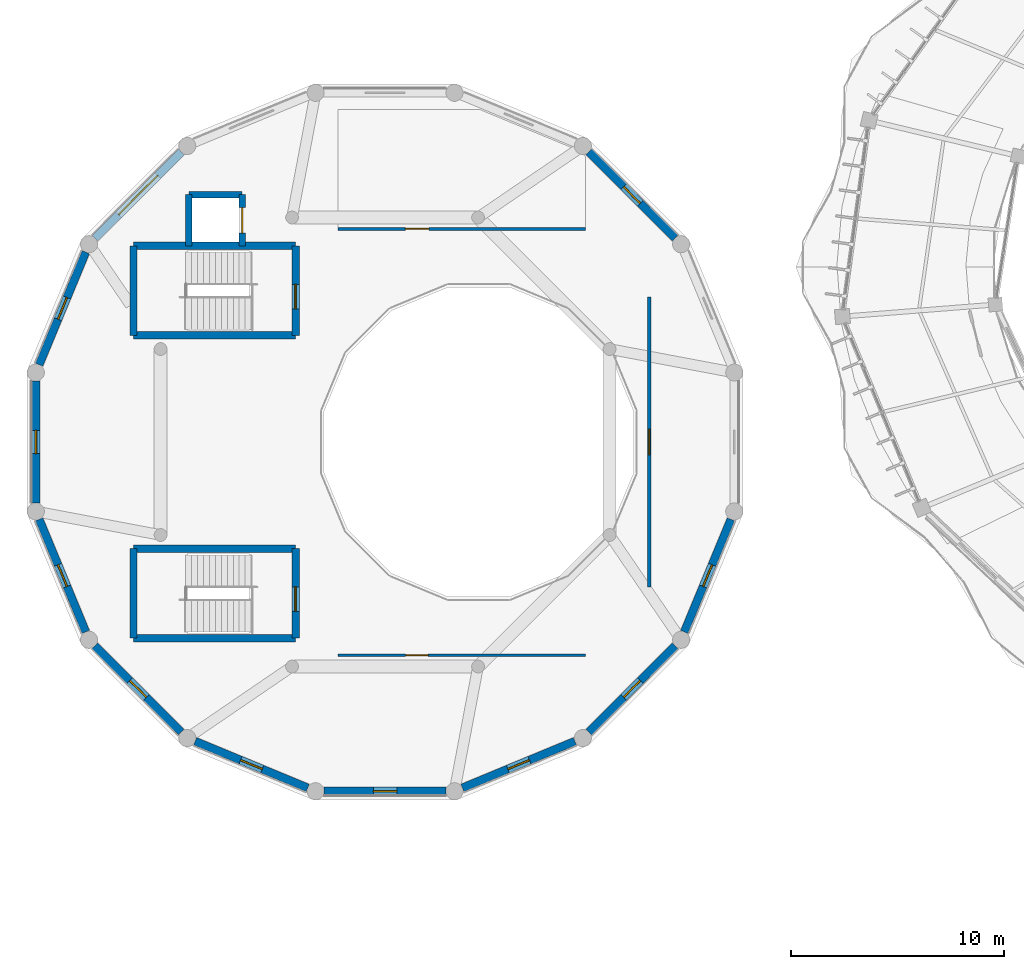
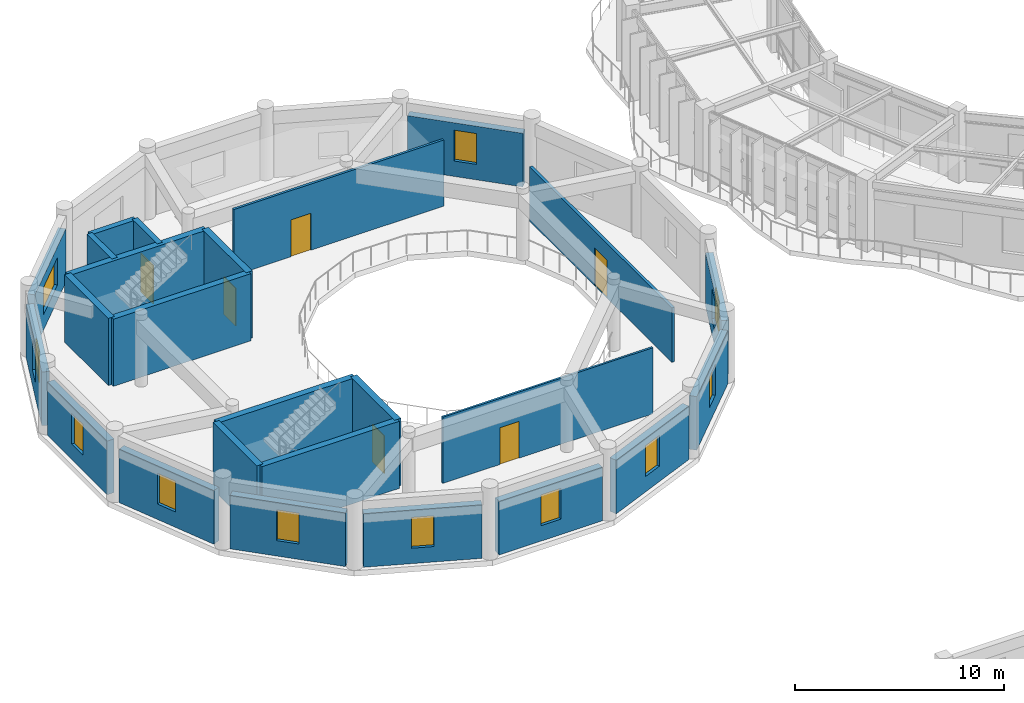
# One storey, part 113 of 138: 25 walls, 11 windows, 6 doors, 17 openings.
"""IFC4 building model written with IfcOpenShell, lengths in metres."""

from ifc_helpers import new_model, si_unit, direction, frame, frame_2d, origin, place, context, subcontext, project, spatial, rectangle, extrude, material, layer, layer_set, type_object, element, fill, save


model = new_model("IFC4")

# Units and contexts
model_context = context("Model", 3, precision=1e-05, world=origin(), true_north=direction((0.0, 1.0)))
body_context = subcontext(model_context, "Body", "Model", "MODEL_VIEW")
ifc_project = project(units=[si_unit("LENGTHUNIT", "METRE"), si_unit("AREAUNIT", "SQUARE_METRE"), si_unit("VOLUMEUNIT", "CUBIC_METRE"), si_unit("PLANEANGLEUNIT", "RADIAN"), si_unit("MASSUNIT", "GRAM", prefix="KILO"), si_unit("THERMODYNAMICTEMPERATUREUNIT", "KELVIN"), si_unit("POWERUNIT", "WATT")], contexts=[model_context])

# Site, building, storey
site_placement = place(None, origin())
site = spatial("IfcSite", under=ifc_project, at=site_placement, CompositionType="ELEMENT")
building_placement = place(site_placement, origin())
building = spatial("IfcBuilding", under=site, at=building_placement, Name="Darbajah Civic Hall", CompositionType="ELEMENT")
storey_placement = place(building_placement, frame((0.0, 0.0, 9.60009765625)))
storey = spatial("IfcBuildingStorey", under=building, at=storey_placement, Name="L02", CompositionType="ELEMENT", Elevation=9.60009765625)

# Walls
ifc_material_1 = material(Name="Concrete C45/55", Category="concrete")
ifc_layer_1 = layer(ifc_material_1, 0.300048828125, Name="Concrete C45/55")
ifc_layer_set_1 = layer_set([ifc_layer_1], Name="Concrete C45/55")
wall_type_1 = type_object("IfcWallType", Name="Core Shear Wall 300mm", PredefinedType="SHEAR", material=ifc_layer_set_1)
wall_1_placement = place(storey_placement, frame((10.10009765625, 93.199951171875, 0.0), z_axis=(0.0, 0.0, 1.0), x_axis=(-1.0, 0.0, 0.0)))
element("IfcWall", 1, at=wall_1_placement, inside=storey, type_object=wall_type_1, Name="L02 lift PL2 shaft wall N", PredefinedType="SHEAR", context=body_context, shape_type="SweptSolid", body=[
    extrude(rectangle(XDim=2.5, YDim=0.300048828125, at=frame_2d((1.25, 0.0))), origin(), (0.0, 0.0, 1.0), 3.919921875),
])
wall_2_placement = place(storey_placement, frame((7.60009765625, 93.199951171875, 0.0), z_axis=(0.0, 0.0, 1.0), x_axis=(0.0, -1.0, 0.0)))
element("IfcWall", 2, at=wall_2_placement, inside=storey, type_object=wall_type_1, Name="L02 lift PL2 shaft wall W", PredefinedType="SHEAR", context=body_context, shape_type="SweptSolid", body=[
    extrude(rectangle(XDim=2.39990234375, YDim=0.300048828125, at=frame_2d((1.199951171875, 0.0))), origin(), (0.0, 0.0, 1.0), 3.919921875),
])

# Wall, opening, door
wall_3_placement = place(storey_placement, frame((10.10009765625, 90.800048828125, 0.0), z_axis=(0.0, 0.0, 1.0), x_axis=(0.0, 1.0, 0.0)))
wall_3 = element("IfcWall", 3, at=wall_3_placement, inside=storey, type_object=wall_type_1, Name="L02 lift PL2 shaft wall E", PredefinedType="SHEAR", context=body_context, shape_type="SweptSolid", body=[
    extrude(rectangle(XDim=2.39990234375, YDim=0.300048828125, at=frame_2d((1.199951171875, 0.0))), origin(), (0.0, 0.0, 1.0), 3.919921875),
])
opening_1_placement = place(wall_3_placement, frame((0.60009765625, 0.0, 0.0)))
opening_1 = element("IfcOpeningElement", 4, at=opening_1_placement, cuts=wall_3, Name="Opening LD-0065", PredefinedType="OPENING", context=body_context, shape_type="SweptSolid", body=[
    extrude(rectangle(XDim=1.199951171875, YDim=2.25, at=frame_2d((0.60009765625, 1.125))), frame((0.0, 0.159912109375, 0.0), z_axis=(0.0, -1.0, 0.0), x_axis=(1.0, 0.0, 0.0)), (0.0, 0.0, 1.0), 0.320068359375),
])
ifc_material_2 = material(Name="Stainless Lift Landing Door")
door_type_1 = type_object("IfcDoorType", Name="Lift Landing Door 1200x2250", OperationType="SLIDING_TO_LEFT", PredefinedType="DOOR", material=ifc_material_2)
door_1_placement = place(opening_1_placement, origin())
door_1 = element("IfcDoor", 5, at=door_1_placement, inside=storey, type_object=door_type_1, Name="L02 lift PL2 landing door LD-0065", OperationType="SLIDING_TO_LEFT", OverallHeight=2.25, OverallWidth=1.199951171875, PredefinedType="DOOR", context=body_context, shape_type="SweptSolid", body=[
    extrude(rectangle(XDim=1.199951171875, YDim=2.25, at=frame_2d((0.60009765625, 1.125))), frame((0.0, 0.02490234375, 0.0), z_axis=(0.0, -1.0, 0.0), x_axis=(1.0, 0.0, 0.0)), (0.0, 0.0, 1.0), 0.050048828125),
])
fill(opening_1, door_1)

# Wall
ifc_material_3 = material(Name="Concrete C50/60", Category="concrete")
ifc_layer_2 = layer(ifc_material_3, 0.35009765625, Name="Concrete C50/60")
ifc_layer_set_2 = layer_set([ifc_layer_2], Name="Concrete C50/60")
wall_type_2 = type_object("IfcWallType", Name="Core Shear Wall 350mm", PredefinedType="SHEAR", material=ifc_layer_set_2)
wall_4_placement = place(storey_placement, frame((5.0, 86.60009765625, 0.0), z_axis=(0.0, 0.0, 1.0), x_axis=(1.0, 0.0, 0.0)))
element("IfcWall", 6, at=wall_4_placement, inside=storey, type_object=wall_type_2, Name="L02 core C04 shear wall S", PredefinedType="SHEAR", context=body_context, shape_type="SweptSolid", body=[
    extrude(rectangle(XDim=7.60009765625, YDim=0.35009765625, at=frame_2d((3.800048828125, 0.0))), origin(), (0.0, 0.0, 1.0), 3.919921875),
])

# Wall, opening, door
wall_5_placement = place(storey_placement, frame((12.60009765625, 86.60009765625, 0.0), z_axis=(0.0, 0.0, 1.0), x_axis=(0.0, 1.0, 0.0)))
wall_5 = element("IfcWall", 7, at=wall_5_placement, inside=storey, type_object=wall_type_2, Name="L02 core C04 shear wall E", PredefinedType="SHEAR", context=body_context, shape_type="SweptSolid", body=[
    extrude(rectangle(XDim=4.199951171875, YDim=0.35009765625, at=frame_2d((2.10009765625, 0.0))), origin(), (0.0, 0.0, 1.0), 3.919921875),
])
opening_2_placement = place(wall_5_placement, frame((1.25, 0.0, 0.0)))
opening_2 = element("IfcOpeningElement", 8, at=opening_2_placement, cuts=wall_5, Name="Opening SD-0060", PredefinedType="OPENING", context=body_context, shape_type="SweptSolid", body=[
    extrude(rectangle(XDim=1.14990234375, YDim=2.199951171875, at=frame_2d((0.574951171875, 1.10009765625))), frame((0.0, 0.18505859375, 0.0), z_axis=(0.0, -1.0, 0.0), x_axis=(1.0, 0.0, 0.0)), (0.0, 0.0, 1.0), 0.3701171875),
])
ifc_material_4 = material(Name="Steel Rated Core Door", Category="steel")
door_type_2 = type_object("IfcDoorType", Name="Interior Door 1150x2200", OperationType="NOTDEFINED", PredefinedType="DOOR", material=ifc_material_4)
door_2_placement = place(opening_2_placement, origin())
door_2 = element("IfcDoor", 9, at=door_2_placement, inside=storey, type_object=door_type_2, Name="L02 stair ST04 fire door SD-0060", OperationType="SINGLE_SWING_LEFT", OverallHeight=2.199951171875, OverallWidth=1.14990234375, PredefinedType="DOOR", context=body_context, shape_type="SweptSolid", body=[
    extrude(rectangle(XDim=1.14990234375, YDim=2.199951171875, at=frame_2d((0.574951171875, 1.10009765625))), frame((0.0, 0.02490234375, 0.0), z_axis=(0.0, -1.0, 0.0), x_axis=(1.0, 0.0, 0.0)), (0.0, 0.0, 1.0), 0.050048828125),
])
fill(opening_2, door_2)

# Walls
wall_6_placement = place(storey_placement, frame((12.60009765625, 90.800048828125, 0.0), z_axis=(0.0, 0.0, 1.0), x_axis=(-1.0, 0.0, 0.0)))
element("IfcWall", 10, at=wall_6_placement, inside=storey, type_object=wall_type_2, Name="L02 core C04 shear wall N", PredefinedType="SHEAR", context=body_context, shape_type="SweptSolid", body=[
    extrude(rectangle(XDim=7.60009765625, YDim=0.35009765625, at=frame_2d((3.800048828125, 0.0))), origin(), (0.0, 0.0, 1.0), 3.919921875),
])
wall_7_placement = place(storey_placement, frame((5.0, 90.800048828125, 0.0), z_axis=(0.0, 0.0, 1.0), x_axis=(0.0, -1.0, 0.0)))
element("IfcWall", 11, at=wall_7_placement, inside=storey, type_object=wall_type_2, Name="L02 core C04 shear wall W", PredefinedType="SHEAR", context=body_context, shape_type="SweptSolid", body=[
    extrude(rectangle(XDim=4.199951171875, YDim=0.35009765625, at=frame_2d((2.10009765625, 0.0))), origin(), (0.0, 0.0, 1.0), 3.919921875),
])
wall_8_placement = place(storey_placement, frame((5.0, 72.39990234375, 0.0), z_axis=(0.0, 0.0, 1.0), x_axis=(1.0, 0.0, 0.0)))
element("IfcWall", 12, at=wall_8_placement, inside=storey, type_object=wall_type_2, Name="L02 core C05 shear wall S", PredefinedType="SHEAR", context=body_context, shape_type="SweptSolid", body=[
    extrude(rectangle(XDim=7.60009765625, YDim=0.35009765625, at=frame_2d((3.800048828125, 0.0))), origin(), (0.0, 0.0, 1.0), 3.919921875),
])

# Wall, opening, door
wall_9_placement = place(storey_placement, frame((12.60009765625, 72.39990234375, 0.0), z_axis=(0.0, 0.0, 1.0), x_axis=(0.0, 1.0, 0.0)))
wall_9 = element("IfcWall", 13, at=wall_9_placement, inside=storey, type_object=wall_type_2, Name="L02 core C05 shear wall E", PredefinedType="SHEAR", context=body_context, shape_type="SweptSolid", body=[
    extrude(rectangle(XDim=4.2001953125, YDim=0.35009765625, at=frame_2d((2.10009765625, 0.0))), origin(), (0.0, 0.0, 1.0), 3.919921875),
])
opening_3_placement = place(wall_9_placement, frame((1.25, 0.0, 0.0)))
opening_3 = element("IfcOpeningElement", 14, at=opening_3_placement, cuts=wall_9, Name="Opening SD-0070", PredefinedType="OPENING", context=body_context, shape_type="SweptSolid", body=[
    extrude(rectangle(XDim=1.14990234375, YDim=2.199951171875, at=frame_2d((0.574951171875, 1.10009765625))), frame((0.0, 0.18505859375, 0.0), z_axis=(0.0, -1.0, 0.0), x_axis=(1.0, 0.0, 0.0)), (0.0, 0.0, 1.0), 0.3701171875),
])
door_3_placement = place(opening_3_placement, origin())
door_3 = element("IfcDoor", 15, at=door_3_placement, inside=storey, type_object=door_type_2, Name="L02 stair ST05 fire door SD-0070", OperationType="SINGLE_SWING_LEFT", OverallHeight=2.199951171875, OverallWidth=1.14990234375, PredefinedType="DOOR", context=body_context, shape_type="SweptSolid", body=[
    extrude(rectangle(XDim=1.14990234375, YDim=2.199951171875, at=frame_2d((0.574951171875, 1.10009765625))), frame((0.0, 0.02490234375, 0.0), z_axis=(0.0, -1.0, 0.0), x_axis=(1.0, 0.0, 0.0)), (0.0, 0.0, 1.0), 0.050048828125),
])
fill(opening_3, door_3)

# Walls
wall_10_placement = place(storey_placement, frame((12.60009765625, 76.60009765625, 0.0), z_axis=(0.0, 0.0, 1.0), x_axis=(-1.0, 0.0, 0.0)))
element("IfcWall", 16, at=wall_10_placement, inside=storey, type_object=wall_type_2, Name="L02 core C05 shear wall N", PredefinedType="SHEAR", context=body_context, shape_type="SweptSolid", body=[
    extrude(rectangle(XDim=7.60009765625, YDim=0.35009765625, at=frame_2d((3.800048828125, 0.0))), origin(), (0.0, 0.0, 1.0), 3.919921875),
])
wall_11_placement = place(storey_placement, frame((5.0, 76.60009765625, 0.0), z_axis=(0.0, 0.0, 1.0), x_axis=(0.0, -1.0, 0.0)))
element("IfcWall", 17, at=wall_11_placement, inside=storey, type_object=wall_type_2, Name="L02 core C05 shear wall W", PredefinedType="SHEAR", context=body_context, shape_type="SweptSolid", body=[
    extrude(rectangle(XDim=4.2001953125, YDim=0.35009765625, at=frame_2d((2.10009765625, 0.0))), origin(), (0.0, 0.0, 1.0), 3.919921875),
])

# Wall, opening, window
ifc_material_5 = material(Name="Red Dholpur Sandstone Cladding", Category="masonry")
ifc_layer_3 = layer(ifc_material_5, 0.3798828125, Name="Red Dholpur Sandstone Cladding")
ifc_layer_set_3 = layer_set([ifc_layer_3], Name="Red Dholpur Sandstone Cladding")
wall_type_3 = type_object("IfcWallType", Name="Exterior Wall 380mm", PredefinedType="SOLIDWALL", material=ifc_layer_set_3)
wall_12_placement = place(storey_placement, frame((30.402099609375, 91.162841796875, 0.0), z_axis=(0.0, 0.0, 1.0), x_axis=(-0.707128150708, 0.707085411019, 0.0)))
wall_12 = element("IfcWall", 18, at=wall_12_placement, inside=storey, type_object=wall_type_3, Name="L02 exterior wall EW-380", PredefinedType="SOLIDWALL", context=body_context, shape_type="SweptSolid", body=[
    extrude(rectangle(XDim=5.712158203125, YDim=0.3798828125, at=frame_2d((2.85595703125, 0.0))), origin(), (0.0, 0.0, 1.0), 3.1298828125),
])
opening_4_placement = place(wall_12_placement, frame((2.30615234375, 0.0, 0.89990234375)))
opening_4 = element("IfcOpeningElement", 19, at=opening_4_placement, cuts=wall_12, Name="Opening WN-17", PredefinedType="OPENING", context=body_context, shape_type="SweptSolid", body=[
    extrude(rectangle(XDim=1.10009765625, YDim=1.800048828125, at=frame_2d((0.550048828125, 0.89990234375))), frame((0.0, 0.199951171875, 0.0), z_axis=(0.0, -1.0, 0.0), x_axis=(1.0, 0.0, 0.0)), (0.0, 0.0, 1.0), 0.39990234375),
])
ifc_material_6 = material(Name="Low-E Solar Control Double Glazing", Category="glass")
window_type_1 = type_object("IfcWindowType", Name="Facade Window 1100x1800", PartitioningType="SINGLE_PANEL", PredefinedType="WINDOW", material=ifc_material_6)
window_1_placement = place(opening_4_placement, origin())
window_1 = element("IfcWindow", 20, at=window_1_placement, inside=storey, type_object=window_type_1, Name="L02 facade window WN-17", OverallHeight=1.800048828125, OverallWidth=1.10009765625, PartitioningType="SINGLE_PANEL", PredefinedType="WINDOW", context=body_context, shape_type="SweptSolid", body=[
    extrude(rectangle(XDim=1.10009765625, YDim=1.800048828125, at=frame_2d((0.550048828125, 0.89990234375))), frame((0.0, 0.030029296875, 0.0), z_axis=(0.0, -1.0, 0.0), x_axis=(1.0, 0.0, 0.0)), (0.0, 0.0, 1.0), 0.06005859375),
])
fill(opening_4, window_1)

wall_13_placement = place(storey_placement, frame((7.2373046875, 95.201904296875, 0.0), z_axis=(0.0, 0.0, 1.0), x_axis=(-0.707128150708, -0.707085411019, 0.0)))
wall_13 = element("IfcWall", 21, at=wall_13_placement, inside=storey, type_object=wall_type_3, Name="L02 exterior wall EW-380", PredefinedType="SOLIDWALL", context=body_context, shape_type="SweptSolid", body=[
    extrude(rectangle(XDim=5.712158203125, YDim=0.3798828125, at=frame_2d((2.85595703125, 0.0))), origin(), (0.0, 0.0, 1.0), 3.1298828125),
])
opening_5_placement = place(wall_13_placement, frame((1.55615234375, 0.0, 0.89990234375)))
opening_5 = element("IfcOpeningElement", 22, at=opening_5_placement, cuts=wall_13, Name="Opening WN-28", PredefinedType="OPENING", context=body_context, shape_type="SweptSolid", body=[
    extrude(rectangle(XDim=2.60009765625, YDim=1.60009765625, at=frame_2d((1.300048828125, 0.800048828125))), frame((0.0, 0.199951171875, 0.0), z_axis=(0.0, -1.0, 0.0), x_axis=(1.0, 0.0, 0.0)), (0.0, 0.0, 1.0), 0.39990234375),
])
window_type_2 = type_object("IfcWindowType", Name="Facade Window 2600x1600", PartitioningType="DOUBLE_PANEL_VERTICAL", PredefinedType="WINDOW", material=ifc_material_6)
window_2_placement = place(opening_5_placement, origin())
window_2 = element("IfcWindow", 23, at=window_2_placement, inside=storey, type_object=window_type_2, Name="L02 facade window WN-28", OverallHeight=1.60009765625, OverallWidth=2.60009765625, PartitioningType="SINGLE_PANEL", PredefinedType="WINDOW", context=body_context, shape_type="SweptSolid", body=[
    extrude(rectangle(XDim=2.60009765625, YDim=1.60009765625, at=frame_2d((1.300048828125, 0.800048828125))), frame((0.0, 0.030029296875, 0.0), z_axis=(0.0, -1.0, 0.0), x_axis=(1.0, 0.0, 0.0)), (0.0, 0.0, 1.0), 0.06005859375),
])
fill(opening_5, window_2)

wall_14_placement = place(storey_placement, frame((2.760009765625, 90.507080078125, 0.0), z_axis=(0.0, 0.0, 1.0), x_axis=(-0.382717920232, -0.923865246415, 0.0)))
wall_14 = element("IfcWall", 24, at=wall_14_placement, inside=storey, type_object=wall_type_3, Name="L02 exterior wall EW-380", PredefinedType="SOLIDWALL", context=body_context, shape_type="SweptSolid", body=[
    extrude(rectangle(XDim=5.71240234375, YDim=0.3798828125, at=frame_2d((2.856201171875, 0.0))), origin(), (0.0, 0.0, 1.0), 3.1298828125),
])
opening_6_placement = place(wall_14_placement, frame((2.30615234375, 0.0, 0.89990234375)))
opening_6 = element("IfcOpeningElement", 25, at=opening_6_placement, cuts=wall_14, Name="Opening WN-17", PredefinedType="OPENING", context=body_context, shape_type="SweptSolid", body=[
    extrude(rectangle(XDim=1.10009765625, YDim=1.800048828125, at=frame_2d((0.550048828125, 0.89990234375))), frame((0.0, 0.199951171875, 0.0), z_axis=(0.0, -1.0, 0.0), x_axis=(1.0, 0.0, 0.0)), (0.0, 0.0, 1.0), 0.39990234375),
])
window_3_placement = place(opening_6_placement, origin())
window_3 = element("IfcWindow", 26, at=window_3_placement, inside=storey, type_object=window_type_1, Name="L02 facade window WN-17", OverallHeight=1.800048828125, OverallWidth=1.10009765625, PartitioningType="SINGLE_PANEL", PredefinedType="WINDOW", context=body_context, shape_type="SweptSolid", body=[
    extrude(rectangle(XDim=1.10009765625, YDim=1.800048828125, at=frame_2d((0.550048828125, 0.89990234375))), frame((0.0, 0.030029296875, 0.0), z_axis=(0.0, -1.0, 0.0), x_axis=(1.0, 0.0, 0.0)), (0.0, 0.0, 1.0), 0.06005859375),
])
fill(opening_6, window_3)

wall_15_placement = place(storey_placement, frame((0.419921875, 84.456298828125, 0.0), z_axis=(0.0, 0.0, 1.0), x_axis=(0.0, -1.0, 0.0)))
wall_15 = element("IfcWall", 27, at=wall_15_placement, inside=storey, type_object=wall_type_3, Name="L02 exterior wall EW-380", PredefinedType="SOLIDWALL", context=body_context, shape_type="SweptSolid", body=[
    extrude(rectangle(XDim=5.71240234375, YDim=0.3798828125, at=frame_2d((2.856201171875, 0.0))), origin(), (0.0, 0.0, 1.0), 3.1298828125),
])
opening_7_placement = place(wall_15_placement, frame((2.30615234375, 0.0, 0.89990234375)))
opening_7 = element("IfcOpeningElement", 28, at=opening_7_placement, cuts=wall_15, Name="Opening WN-17", PredefinedType="OPENING", context=body_context, shape_type="SweptSolid", body=[
    extrude(rectangle(XDim=1.10009765625, YDim=1.800048828125, at=frame_2d((0.550048828125, 0.89990234375))), frame((0.0, 0.199951171875, 0.0), z_axis=(0.0, -1.0, 0.0), x_axis=(1.0, 0.0, 0.0)), (0.0, 0.0, 1.0), 0.39990234375),
])
window_4_placement = place(opening_7_placement, origin())
window_4 = element("IfcWindow", 29, at=window_4_placement, inside=storey, type_object=window_type_1, Name="L02 facade window WN-17", OverallHeight=1.800048828125, OverallWidth=1.10009765625, PartitioningType="SINGLE_PANEL", PredefinedType="WINDOW", context=body_context, shape_type="SweptSolid", body=[
    extrude(rectangle(XDim=1.10009765625, YDim=1.800048828125, at=frame_2d((0.550048828125, 0.89990234375))), frame((0.0, 0.030029296875, 0.0), z_axis=(0.0, -1.0, 0.0), x_axis=(1.0, 0.0, 0.0)), (0.0, 0.0, 1.0), 0.06005859375),
])
fill(opening_7, window_4)

wall_16_placement = place(storey_placement, frame((0.57373046875, 77.970458984375, 0.0), z_axis=(0.0, 0.0, 1.0), x_axis=(0.382717920232, -0.923865246415, 0.0)))
wall_16 = element("IfcWall", 30, at=wall_16_placement, inside=storey, type_object=wall_type_3, Name="L02 exterior wall EW-380", PredefinedType="SOLIDWALL", context=body_context, shape_type="SweptSolid", body=[
    extrude(rectangle(XDim=5.71240234375, YDim=0.3798828125, at=frame_2d((2.856201171875, 0.0))), origin(), (0.0, 0.0, 1.0), 3.1298828125),
])
opening_8_placement = place(wall_16_placement, frame((2.30615234375, 0.0, 0.89990234375)))
opening_8 = element("IfcOpeningElement", 31, at=opening_8_placement, cuts=wall_16, Name="Opening WN-17", PredefinedType="OPENING", context=body_context, shape_type="SweptSolid", body=[
    extrude(rectangle(XDim=1.10009765625, YDim=1.800048828125, at=frame_2d((0.550048828125, 0.89990234375))), frame((0.0, 0.199951171875, 0.0), z_axis=(0.0, -1.0, 0.0), x_axis=(1.0, 0.0, 0.0)), (0.0, 0.0, 1.0), 0.39990234375),
])
window_5_placement = place(opening_8_placement, origin())
window_5 = element("IfcWindow", 32, at=window_5_placement, inside=storey, type_object=window_type_1, Name="L02 facade window WN-17", OverallHeight=1.800048828125, OverallWidth=1.10009765625, PartitioningType="SINGLE_PANEL", PredefinedType="WINDOW", context=body_context, shape_type="SweptSolid", body=[
    extrude(rectangle(XDim=1.10009765625, YDim=1.800048828125, at=frame_2d((0.550048828125, 0.89990234375))), frame((0.0, 0.030029296875, 0.0), z_axis=(0.0, -1.0, 0.0), x_axis=(1.0, 0.0, 0.0)), (0.0, 0.0, 1.0), 0.06005859375),
])
fill(opening_8, window_5)

wall_17_placement = place(storey_placement, frame((3.197998046875, 72.037109375, 0.0), z_axis=(0.0, 0.0, 1.0), x_axis=(0.707128150708, -0.707085411019, 0.0)))
wall_17 = element("IfcWall", 33, at=wall_17_placement, inside=storey, type_object=wall_type_3, Name="L02 exterior wall EW-380", PredefinedType="SOLIDWALL", context=body_context, shape_type="SweptSolid", body=[
    extrude(rectangle(XDim=5.712158203125, YDim=0.3798828125, at=frame_2d((2.85595703125, 0.0))), origin(), (0.0, 0.0, 1.0), 3.1298828125),
])
opening_9_placement = place(wall_17_placement, frame((2.30615234375, 0.0, 0.89990234375)))
opening_9 = element("IfcOpeningElement", 34, at=opening_9_placement, cuts=wall_17, Name="Opening WN-17", PredefinedType="OPENING", context=body_context, shape_type="SweptSolid", body=[
    extrude(rectangle(XDim=1.10009765625, YDim=1.800048828125, at=frame_2d((0.550048828125, 0.89990234375))), frame((0.0, 0.199951171875, 0.0), z_axis=(0.0, -1.0, 0.0), x_axis=(1.0, 0.0, 0.0)), (0.0, 0.0, 1.0), 0.39990234375),
])
window_6_placement = place(opening_9_placement, origin())
window_6 = element("IfcWindow", 35, at=window_6_placement, inside=storey, type_object=window_type_1, Name="L02 facade window WN-17", OverallHeight=1.800048828125, OverallWidth=1.10009765625, PartitioningType="SINGLE_PANEL", PredefinedType="WINDOW", context=body_context, shape_type="SweptSolid", body=[
    extrude(rectangle(XDim=1.10009765625, YDim=1.800048828125, at=frame_2d((0.550048828125, 0.89990234375))), frame((0.0, 0.030029296875, 0.0), z_axis=(0.0, -1.0, 0.0), x_axis=(1.0, 0.0, 0.0)), (0.0, 0.0, 1.0), 0.06005859375),
])
fill(opening_9, window_6)

wall_18_placement = place(storey_placement, frame((7.892822265625, 67.559814453125, 0.0), z_axis=(0.0, 0.0, 1.0), x_axis=(0.923880357201, -0.382681441383, 0.0)))
wall_18 = element("IfcWall", 36, at=wall_18_placement, inside=storey, type_object=wall_type_3, Name="L02 exterior wall EW-380", PredefinedType="SOLIDWALL", context=body_context, shape_type="SweptSolid", body=[
    extrude(rectangle(XDim=5.71240234375, YDim=0.3798828125, at=frame_2d((2.856201171875, 0.0))), origin(), (0.0, 0.0, 1.0), 3.1298828125),
])
opening_10_placement = place(wall_18_placement, frame((2.30615234375, 0.0, 0.89990234375)))
opening_10 = element("IfcOpeningElement", 37, at=opening_10_placement, cuts=wall_18, Name="Opening WN-17", PredefinedType="OPENING", context=body_context, shape_type="SweptSolid", body=[
    extrude(rectangle(XDim=1.10009765625, YDim=1.800048828125, at=frame_2d((0.550048828125, 0.89990234375))), frame((0.0, 0.199951171875, 0.0), z_axis=(0.0, -1.0, 0.0), x_axis=(1.0, 0.0, 0.0)), (0.0, 0.0, 1.0), 0.39990234375),
])
window_7_placement = place(opening_10_placement, origin())
window_7 = element("IfcWindow", 38, at=window_7_placement, inside=storey, type_object=window_type_1, Name="L02 facade window WN-17", OverallHeight=1.800048828125, OverallWidth=1.10009765625, PartitioningType="SINGLE_PANEL", PredefinedType="WINDOW", context=body_context, shape_type="SweptSolid", body=[
    extrude(rectangle(XDim=1.10009765625, YDim=1.800048828125, at=frame_2d((0.550048828125, 0.89990234375))), frame((0.0, 0.030029296875, 0.0), z_axis=(0.0, -1.0, 0.0), x_axis=(1.0, 0.0, 0.0)), (0.0, 0.0, 1.0), 0.06005859375),
])
fill(opening_10, window_7)

wall_19_placement = place(storey_placement, frame((13.94384765625, 65.219970703125, 0.0), z_axis=(0.0, 0.0, 1.0), x_axis=(1.0, 0.0, 0.0)))
wall_19 = element("IfcWall", 39, at=wall_19_placement, inside=storey, type_object=wall_type_3, Name="L02 exterior wall EW-380", PredefinedType="SOLIDWALL", context=body_context, shape_type="SweptSolid", body=[
    extrude(rectangle(XDim=5.71240234375, YDim=0.3798828125, at=frame_2d((2.856201171875, 0.0))), origin(), (0.0, 0.0, 1.0), 3.1298828125),
])
opening_11_placement = place(wall_19_placement, frame((2.30615234375, 0.0, 0.89990234375)))
opening_11 = element("IfcOpeningElement", 40, at=opening_11_placement, cuts=wall_19, Name="Opening WN-17", PredefinedType="OPENING", context=body_context, shape_type="SweptSolid", body=[
    extrude(rectangle(XDim=1.10009765625, YDim=1.800048828125, at=frame_2d((0.550048828125, 0.89990234375))), frame((0.0, 0.199951171875, 0.0), z_axis=(0.0, -1.0, 0.0), x_axis=(1.0, 0.0, 0.0)), (0.0, 0.0, 1.0), 0.39990234375),
])
window_8_placement = place(opening_11_placement, origin())
window_8 = element("IfcWindow", 41, at=window_8_placement, inside=storey, type_object=window_type_1, Name="L02 facade window WN-17", OverallHeight=1.800048828125, OverallWidth=1.10009765625, PartitioningType="SINGLE_PANEL", PredefinedType="WINDOW", context=body_context, shape_type="SweptSolid", body=[
    extrude(rectangle(XDim=1.10009765625, YDim=1.800048828125, at=frame_2d((0.550048828125, 0.89990234375))), frame((0.0, 0.030029296875, 0.0), z_axis=(0.0, -1.0, 0.0), x_axis=(1.0, 0.0, 0.0)), (0.0, 0.0, 1.0), 0.06005859375),
])
fill(opening_11, window_8)

wall_20_placement = place(storey_placement, frame((20.4296875, 65.373779296875, 0.0), z_axis=(0.0, 0.0, 1.0), x_axis=(0.923874097972, 0.382696552241, 0.0)))
wall_20 = element("IfcWall", 42, at=wall_20_placement, inside=storey, type_object=wall_type_3, Name="L02 exterior wall EW-380", PredefinedType="SOLIDWALL", context=body_context, shape_type="SweptSolid", body=[
    extrude(rectangle(XDim=5.712158203125, YDim=0.3798828125, at=frame_2d((2.85595703125, 0.0))), origin(), (0.0, 0.0, 1.0), 3.1298828125),
])
opening_12_placement = place(wall_20_placement, frame((2.30615234375, 0.0, 0.89990234375)))
opening_12 = element("IfcOpeningElement", 43, at=opening_12_placement, cuts=wall_20, Name="Opening WN-17", PredefinedType="OPENING", context=body_context, shape_type="SweptSolid", body=[
    extrude(rectangle(XDim=1.10009765625, YDim=1.800048828125, at=frame_2d((0.550048828125, 0.89990234375))), frame((0.0, 0.199951171875, 0.0), z_axis=(0.0, -1.0, 0.0), x_axis=(1.0, 0.0, 0.0)), (0.0, 0.0, 1.0), 0.39990234375),
])
window_9_placement = place(opening_12_placement, origin())
window_9 = element("IfcWindow", 44, at=window_9_placement, inside=storey, type_object=window_type_1, Name="L02 facade window WN-17", OverallHeight=1.800048828125, OverallWidth=1.10009765625, PartitioningType="SINGLE_PANEL", PredefinedType="WINDOW", context=body_context, shape_type="SweptSolid", body=[
    extrude(rectangle(XDim=1.10009765625, YDim=1.800048828125, at=frame_2d((0.550048828125, 0.89990234375))), frame((0.0, 0.030029296875, 0.0), z_axis=(0.0, -1.0, 0.0), x_axis=(1.0, 0.0, 0.0)), (0.0, 0.0, 1.0), 0.06005859375),
])
fill(opening_12, window_9)

wall_21_placement = place(storey_placement, frame((26.36279296875, 67.998046875, 0.0), z_axis=(0.0, 0.0, 1.0), x_axis=(0.707128150708, 0.707085411019, 0.0)))
wall_21 = element("IfcWall", 45, at=wall_21_placement, inside=storey, type_object=wall_type_3, Name="L02 exterior wall EW-380", PredefinedType="SOLIDWALL", context=body_context, shape_type="SweptSolid", body=[
    extrude(rectangle(XDim=5.712158203125, YDim=0.3798828125, at=frame_2d((2.85595703125, 0.0))), origin(), (0.0, 0.0, 1.0), 3.1298828125),
])
opening_13_placement = place(wall_21_placement, frame((2.30615234375, 0.0, 0.89990234375)))
opening_13 = element("IfcOpeningElement", 46, at=opening_13_placement, cuts=wall_21, Name="Opening WN-17", PredefinedType="OPENING", context=body_context, shape_type="SweptSolid", body=[
    extrude(rectangle(XDim=1.10009765625, YDim=1.800048828125, at=frame_2d((0.550048828125, 0.89990234375))), frame((0.0, 0.199951171875, 0.0), z_axis=(0.0, -1.0, 0.0), x_axis=(1.0, 0.0, 0.0)), (0.0, 0.0, 1.0), 0.39990234375),
])
window_10_placement = place(opening_13_placement, origin())
window_10 = element("IfcWindow", 47, at=window_10_placement, inside=storey, type_object=window_type_1, Name="L02 facade window WN-17", OverallHeight=1.800048828125, OverallWidth=1.10009765625, PartitioningType="SINGLE_PANEL", PredefinedType="WINDOW", context=body_context, shape_type="SweptSolid", body=[
    extrude(rectangle(XDim=1.10009765625, YDim=1.800048828125, at=frame_2d((0.550048828125, 0.89990234375))), frame((0.0, 0.030029296875, 0.0), z_axis=(0.0, -1.0, 0.0), x_axis=(1.0, 0.0, 0.0)), (0.0, 0.0, 1.0), 0.06005859375),
])
fill(opening_13, window_10)

wall_22_placement = place(storey_placement, frame((30.840087890625, 72.69287109375, 0.0), z_axis=(0.0, 0.0, 1.0), x_axis=(0.382681441383, 0.923880357201, 0.0)))
wall_22 = element("IfcWall", 48, at=wall_22_placement, inside=storey, type_object=wall_type_3, Name="L02 exterior wall EW-380", PredefinedType="SOLIDWALL", context=body_context, shape_type="SweptSolid", body=[
    extrude(rectangle(XDim=5.71240234375, YDim=0.3798828125, at=frame_2d((2.856201171875, 0.0))), origin(), (0.0, 0.0, 1.0), 3.1298828125),
])
opening_14_placement = place(wall_22_placement, frame((2.30615234375, 0.0, 0.89990234375)))
opening_14 = element("IfcOpeningElement", 49, at=opening_14_placement, cuts=wall_22, Name="Opening WN-17", PredefinedType="OPENING", context=body_context, shape_type="SweptSolid", body=[
    extrude(rectangle(XDim=1.10009765625, YDim=1.800048828125, at=frame_2d((0.550048828125, 0.89990234375))), frame((0.0, 0.199951171875, 0.0), z_axis=(0.0, -1.0, 0.0), x_axis=(1.0, 0.0, 0.0)), (0.0, 0.0, 1.0), 0.39990234375),
])
window_11_placement = place(opening_14_placement, origin())
window_11 = element("IfcWindow", 50, at=window_11_placement, inside=storey, type_object=window_type_1, Name="L02 facade window WN-17", OverallHeight=1.800048828125, OverallWidth=1.10009765625, PartitioningType="SINGLE_PANEL", PredefinedType="WINDOW", context=body_context, shape_type="SweptSolid", body=[
    extrude(rectangle(XDim=1.10009765625, YDim=1.800048828125, at=frame_2d((0.550048828125, 0.89990234375))), frame((0.0, 0.030029296875, 0.0), z_axis=(0.0, -1.0, 0.0), x_axis=(1.0, 0.0, 0.0)), (0.0, 0.0, 1.0), 0.06005859375),
])
fill(opening_14, window_11)

# Wall, opening, door
ifc_material_7 = material(Name="Acoustic Gypsum Partition")
ifc_layer_4 = layer(ifc_material_7, 0.114990234375, Name="Acoustic Gypsum Partition")
ifc_layer_set_4 = layer_set([ifc_layer_4], Name="Acoustic Gypsum Partition")
wall_type_4 = type_object("IfcWallType", Name="Interior Partition 115mm", PredefinedType="PARTITIONING", material=ifc_layer_set_4)
wall_23_placement = place(storey_placement, frame((14.60009765625, 71.60009765625, 0.0), z_axis=(0.0, 0.0, 1.0), x_axis=(1.0, 0.0, 0.0)))
wall_23 = element("IfcWall", 51, at=wall_23_placement, inside=storey, type_object=wall_type_4, Name="L02 interior partition L02-V2-03", PredefinedType="PARTITIONING", context=body_context, shape_type="SweptSolid", body=[
    extrude(rectangle(XDim=11.599853515625, YDim=0.114990234375, at=frame_2d((5.7998046875, 0.0))), origin(), (0.0, 0.0, 1.0), 3.85986328125),
])
opening_15_placement = place(wall_23_placement, frame((3.1650390625, 0.0, 0.0)))
opening_15 = element("IfcOpeningElement", 52, at=opening_15_placement, cuts=wall_23, Name="Opening D-0208", PredefinedType="OPENING", context=body_context, shape_type="SweptSolid", body=[
    extrude(rectangle(XDim=1.050048828125, YDim=2.14990234375, at=frame_2d((0.52490234375, 1.074951171875))), frame((0.0, 0.0673828125, 0.0), z_axis=(0.0, -1.0, 0.0), x_axis=(1.0, 0.0, 0.0)), (0.0, 0.0, 1.0), 0.135009765625),
])
ifc_material_8 = material(Name="Acoustic Oak Office Door")
door_type_3 = type_object("IfcDoorType", Name="Interior Door 1050x2150", OperationType="NOTDEFINED", PredefinedType="DOOR", material=ifc_material_8)
door_4_placement = place(opening_15_placement, origin())
door_4 = element("IfcDoor", 53, at=door_4_placement, inside=storey, type_object=door_type_3, Name="L02 L02-V2-03 door D-0208", OperationType="SINGLE_SWING_LEFT", OverallHeight=2.14990234375, OverallWidth=1.050048828125, PredefinedType="DOOR", context=body_context, shape_type="SweptSolid", body=[
    extrude(rectangle(XDim=1.050048828125, YDim=2.14990234375, at=frame_2d((0.52490234375, 1.074951171875))), frame((0.0, 0.02490234375, 0.0), z_axis=(0.0, -1.0, 0.0), x_axis=(1.0, 0.0, 0.0)), (0.0, 0.0, 1.0), 0.050048828125),
])
fill(opening_15, door_4)

ifc_material_9 = material(Name="Gypsum Plasterboard on Steel Stud", Category="steel")
ifc_layer_5 = layer(ifc_material_9, 0.135009765625, Name="Gypsum Plasterboard on Steel Stud")
ifc_layer_set_5 = layer_set([ifc_layer_5], Name="Gypsum Plasterboard on Steel Stud")
wall_type_5 = type_object("IfcWallType", Name="Interior Partition 135mm", PredefinedType="PARTITIONING", material=ifc_layer_set_5)
wall_24_placement = place(storey_placement, frame((14.60009765625, 91.60009765625, 0.0), z_axis=(0.0, 0.0, 1.0), x_axis=(1.0, 0.0, 0.0)))
wall_24 = element("IfcWall", 54, at=wall_24_placement, inside=storey, type_object=wall_type_5, Name="L02 interior partition L02-V2-02", PredefinedType="PARTITIONING", context=body_context, shape_type="SweptSolid", body=[
    extrude(rectangle(XDim=11.599853515625, YDim=0.135009765625, at=frame_2d((5.7998046875, 0.0))), origin(), (0.0, 0.0, 1.0), 3.85986328125),
])
opening_16_placement = place(wall_24_placement, frame((3.14990234375, 0.0, 0.0)))
opening_16 = element("IfcOpeningElement", 55, at=opening_16_placement, cuts=wall_24, Name="Opening D-0207", PredefinedType="OPENING", context=body_context, shape_type="SweptSolid", body=[
    extrude(rectangle(XDim=1.10009765625, YDim=2.14990234375, at=frame_2d((0.550048828125, 1.074951171875))), frame((0.0, 0.077392578125, 0.0), z_axis=(0.0, -1.0, 0.0), x_axis=(1.0, 0.0, 0.0)), (0.0, 0.0, 1.0), 0.155029296875),
])
door_type_4 = type_object("IfcDoorType", Name="Interior Door 1100x2150", OperationType="NOTDEFINED", PredefinedType="DOOR", material=ifc_material_8)
door_5_placement = place(opening_16_placement, origin())
door_5 = element("IfcDoor", 56, at=door_5_placement, inside=storey, type_object=door_type_4, Name="L02 L02-V2-02 door D-0207", OperationType="SINGLE_SWING_RIGHT", OverallHeight=2.14990234375, OverallWidth=1.10009765625, PredefinedType="DOOR", context=body_context, shape_type="SweptSolid", body=[
    extrude(rectangle(XDim=1.10009765625, YDim=2.14990234375, at=frame_2d((0.550048828125, 1.074951171875))), frame((0.0, 0.02490234375, 0.0), z_axis=(0.0, -1.0, 0.0), x_axis=(1.0, 0.0, 0.0)), (0.0, 0.0, 1.0), 0.050048828125),
])
fill(opening_16, door_5)

ifc_layer_6 = layer(ifc_material_9, 0.159912109375, Name="Gypsum Plasterboard on Steel Stud")
ifc_layer_set_6 = layer_set([ifc_layer_6], Name="Gypsum Plasterboard on Steel Stud")
wall_type_6 = type_object("IfcWallType", Name="Interior Partition 160mm", PredefinedType="PARTITIONING", material=ifc_layer_set_6)
wall_25_placement = place(storey_placement, frame((29.199951171875, 74.800048828125, 0.0), z_axis=(0.0, 0.0, 1.0), x_axis=(0.0, 1.0, 0.0)))
wall_25 = element("IfcWall", 57, at=wall_25_placement, inside=storey, type_object=wall_type_6, Name="L02 interior partition L02-V2-01", PredefinedType="PARTITIONING", context=body_context, shape_type="SweptSolid", body=[
    extrude(rectangle(XDim=13.599853515625, YDim=0.159912109375, at=frame_2d((6.7998046875, 0.0))), origin(), (0.0, 0.0, 1.0), 3.179931640625),
])
opening_17_placement = place(wall_25_placement, frame((6.199951171875, 0.0, 0.0)))
opening_17 = element("IfcOpeningElement", 58, at=opening_17_placement, cuts=wall_25, Name="Opening D-0206", PredefinedType="OPENING", context=body_context, shape_type="SweptSolid", body=[
    extrude(rectangle(XDim=1.199951171875, YDim=2.199951171875, at=frame_2d((0.60009765625, 1.10009765625))), frame((0.0, 0.08984375, 0.0), z_axis=(0.0, -1.0, 0.0), x_axis=(1.0, 0.0, 0.0)), (0.0, 0.0, 1.0), 0.179931640625),
])
ifc_material_10 = material(Name="Painted Hardwood Fire Door", Category="wood")
door_type_5 = type_object("IfcDoorType", Name="Interior Door 1200x2200", OperationType="NOTDEFINED", PredefinedType="DOOR", material=ifc_material_10)
door_6_placement = place(opening_17_placement, origin())
door_6 = element("IfcDoor", 59, at=door_6_placement, inside=storey, type_object=door_type_5, Name="L02 L02-V2-01 door D-0206", OperationType="SINGLE_SWING_LEFT", OverallHeight=2.199951171875, OverallWidth=1.199951171875, PredefinedType="DOOR", context=body_context, shape_type="SweptSolid", body=[
    extrude(rectangle(XDim=1.199951171875, YDim=2.199951171875, at=frame_2d((0.60009765625, 1.10009765625))), frame((0.0, 0.02490234375, 0.0), z_axis=(0.0, -1.0, 0.0), x_axis=(1.0, 0.0, 0.0)), (0.0, 0.0, 1.0), 0.050048828125),
])
fill(opening_17, door_6)

save(model, "model.ifc")
